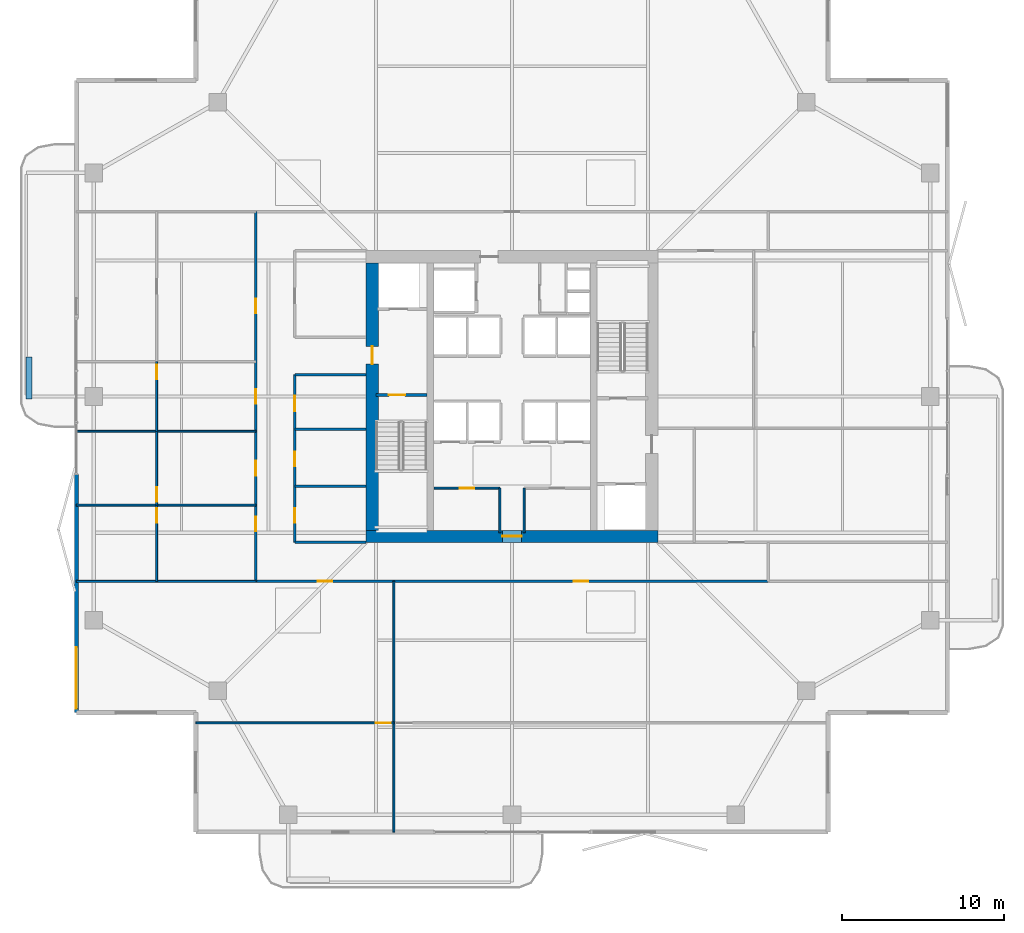
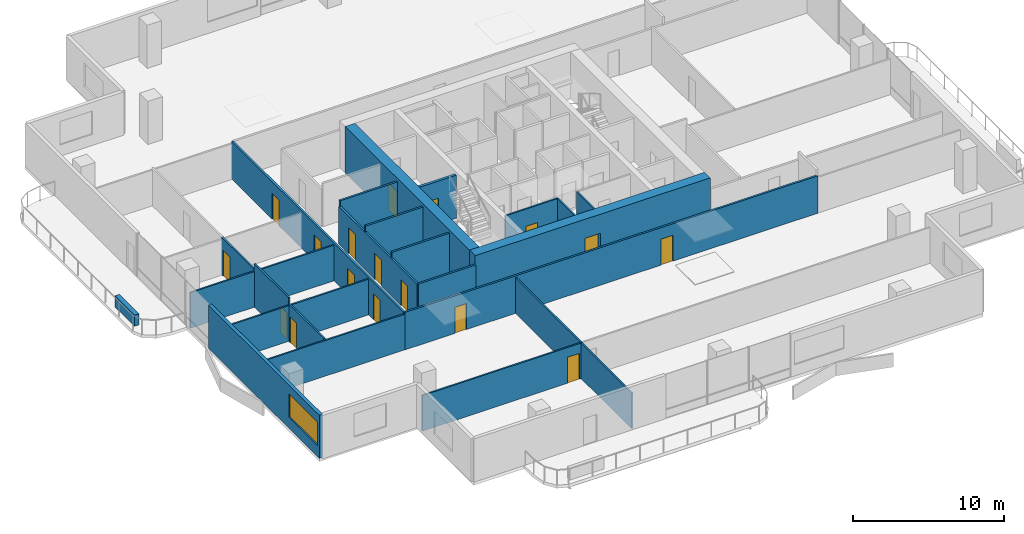
# One storey, part 17 of 23: 23 walls, 17 doors, 1 window, 18 openings.
"""IFC4 building model written with IfcOpenShell, lengths in metres."""

from ifc_helpers import new_model, si_unit, direction, frame, frame_2d, origin, place, context, subcontext, project, spatial, rectangle, extrude, material, layer, layer_set, type_object, element, fill, save


model = new_model("IFC4")

# Units and contexts
model_context = context("Model", 3, precision=1e-05, world=origin(), true_north=direction((0.0, 1.0)))
body_context = subcontext(model_context, "Body", "Model", "MODEL_VIEW")
ifc_project = project(units=[si_unit("LENGTHUNIT", "METRE"), si_unit("AREAUNIT", "SQUARE_METRE"), si_unit("VOLUMEUNIT", "CUBIC_METRE"), si_unit("PLANEANGLEUNIT", "RADIAN"), si_unit("MASSUNIT", "GRAM", prefix="KILO")], contexts=[model_context])

# Site, building, storey
site_placement = place(None, origin())
site = spatial("IfcSite", under=ifc_project, at=site_placement, CompositionType="ELEMENT")
building_placement = place(site_placement, origin())
building = spatial("IfcBuilding", under=site, at=building_placement, Name="Belovzor Exchange Tower", CompositionType="ELEMENT")
storey_placement = place(building_placement, frame((0.0, 0.0, 229.949951171875)))
storey = spatial("IfcBuildingStorey", under=building, at=storey_placement, Name="L57", CompositionType="ELEMENT", Elevation=229.949951171875)

# Wall, opening, door
ifc_material_1 = material(Name="Acoustic Plasterboard on Galvanised Studs", Category="gypsum")
ifc_layer_1 = layer(ifc_material_1, 0.1201171875)
ifc_layer_set_1 = layer_set([ifc_layer_1], Name="Acoustic Plasterboard on Galvanised Studs")
wall_type_1 = type_object("IfcWallType", Name="Acoustic Double-Stud Partition Wall 120", PredefinedType="PARTITIONING", material=ifc_layer_set_1)
wall_1_placement = place(storey_placement, frame((9.300048828125, 8.6650390625, 0.0), z_axis=(0.0, 0.0, 1.0), x_axis=(1.0, 0.0, 0.0)))
wall_1 = element("IfcWall", 1, at=wall_1_placement, inside=storey, type_object=wall_type_1, Name="W-P120 Partition Wall W-L57-SHDIV-0", PredefinedType="PARTITIONING", context=body_context, shape_type="SweptSolid", body=[
    extrude(rectangle(XDim=12.2099609375, YDim=0.1201171875, at=frame_2d((6.10498046875, 0.0))), origin(), (0.0, 0.0, 1.0), 2.885009765625),
])
opening_1_placement = place(wall_1_placement, frame((11.110107421875, 0.0, 0.0)))
opening_1 = element("IfcOpeningElement", 2, at=opening_1_placement, cuts=wall_1, Name="Opening D-INT-090", PredefinedType="OPENING", context=body_context, shape_type="SweptSolid", body=[
    extrude(rectangle(XDim=0.89990234375, YDim=2.10009765625, at=frame_2d((0.449951171875, 1.050048828125))), frame((0.0, 0.070068359375, 0.0), z_axis=(0.0, -1.0, 0.0), x_axis=(1.0, 0.0, 0.0)), (0.0, 0.0, 1.0), 0.14013671875),
])
ifc_material_2 = material(Name="Veneered Hardwood Acoustic Leaf", Category="wood")
door_type_1 = type_object("IfcDoorType", Name="Trading Suite Acoustic Single Door 900x2100", OperationType="NOTDEFINED", PredefinedType="DOOR", material=ifc_material_2)
door_1_placement = place(opening_1_placement, origin())
door_1 = element("IfcDoor", 3, at=door_1_placement, inside=storey, type_object=door_type_1, Name="D-INT-090 Trading Suite Acoustic Single Door 900x2100", OperationType="SINGLE_SWING_LEFT", OverallHeight=2.10009765625, OverallWidth=0.89990234375, PredefinedType="DOOR", context=body_context, shape_type="SweptSolid", body=[
    extrude(rectangle(XDim=0.89990234375, YDim=2.10009765625, at=frame_2d((0.449951171875, 1.050048828125))), frame((0.0, 0.02490234375, 0.0), z_axis=(0.0, -1.0, 0.0), x_axis=(1.0, 0.0, 0.0)), (0.0, 0.0, 1.0), 0.050048828125),
])
fill(opening_1, door_1)

# Wall
wall_2_placement = place(storey_placement, frame((21.510009765625, 1.929931640625, 0.0), z_axis=(0.0, 0.0, 1.0), x_axis=(0.0, 1.0, 0.0)))
element("IfcWall", 4, at=wall_2_placement, inside=storey, type_object=wall_type_1, Name="W-P120 Partition Wall W-L57-SDIV-1", PredefinedType="PARTITIONING", context=body_context, shape_type="SweptSolid", body=[
    extrude(rectangle(XDim=15.469970703125, YDim=0.1201171875, at=frame_2d((7.73486328125, 0.0))), origin(), (0.0, 0.0, 1.0), 2.885009765625),
])

# Wall, opening, door
wall_3_placement = place(storey_placement, frame((6.876953125, 17.39990234375, 0.0), z_axis=(0.0, 0.0, 1.0), x_axis=(0.0, 1.0, 0.0)))
wall_3 = element("IfcWall", 5, at=wall_3_placement, inside=storey, type_object=wall_type_1, Name="W-P120 Partition Wall W-L57-WHDIV-0", PredefinedType="PARTITIONING", context=body_context, shape_type="SweptSolid", body=[
    extrude(rectangle(XDim=4.7001953125, YDim=0.1201171875, at=frame_2d((2.35009765625, 0.0))), origin(), (0.0, 0.0, 1.0), 3.03515625),
])
opening_2_placement = place(wall_3_placement, frame((3.60009765625, 0.0, 0.0)))
opening_2 = element("IfcOpeningElement", 6, at=opening_2_placement, cuts=wall_3, Name="Opening D-INT-090", PredefinedType="OPENING", context=body_context, shape_type="SweptSolid", body=[
    extrude(rectangle(XDim=0.89990234375, YDim=2.10009765625, at=frame_2d((0.449951171875, 1.050048828125))), frame((0.0, 0.070068359375, 0.0), z_axis=(0.0, -1.0, 0.0), x_axis=(1.0, 0.0, 0.0)), (0.0, 0.0, 1.0), 0.14013671875),
])
door_2_placement = place(opening_2_placement, origin())
door_2 = element("IfcDoor", 7, at=door_2_placement, inside=storey, type_object=door_type_1, Name="D-INT-090 Trading Suite Acoustic Single Door 900x2100", OperationType="SINGLE_SWING_LEFT", OverallHeight=2.10009765625, OverallWidth=0.89990234375, PredefinedType="DOOR", context=body_context, shape_type="SweptSolid", body=[
    extrude(rectangle(XDim=0.89990234375, YDim=2.10009765625, at=frame_2d((0.449951171875, 1.050048828125))), frame((0.0, 0.02490234375, 0.0), z_axis=(0.0, -1.0, 0.0), x_axis=(1.0, 0.0, 0.0)), (0.0, 0.0, 1.0), 0.050048828125),
])
fill(opening_2, door_2)

# Wall
wall_4_placement = place(storey_placement, frame((1.929931640625, 22.10009765625, 0.0), z_axis=(0.0, 0.0, 1.0), x_axis=(1.0, 0.0, 0.0)))
element("IfcWall", 8, at=wall_4_placement, inside=storey, type_object=wall_type_1, Name="W-P120 Partition Wall W-L57-WDIV-1", PredefinedType="PARTITIONING", context=body_context, shape_type="SweptSolid", body=[
    extrude(rectangle(XDim=11.070068359375, YDim=0.1201171875, at=frame_2d((5.53515625, 0.0))), origin(), (0.0, 0.0, 1.0), 2.885009765625),
])

# Wall, opening, door
wall_5_placement = place(storey_placement, frame((6.876953125, 22.10009765625, 0.0), z_axis=(0.0, 0.0, 1.0), x_axis=(0.0, 1.0, 0.0)))
wall_5 = element("IfcWall", 9, at=wall_5_placement, inside=storey, type_object=wall_type_1, Name="W-P120 Partition Wall W-L57-WHDIV-1", PredefinedType="PARTITIONING", context=body_context, shape_type="SweptSolid", body=[
    extrude(rectangle(XDim=4.557861328125, YDim=0.1201171875, at=frame_2d((2.27880859375, 0.0))), origin(), (0.0, 0.0, 1.0), 3.5),
])
opening_3_placement = place(wall_5_placement, frame((0.199951171875, 0.0, 0.0)))
opening_3 = element("IfcOpeningElement", 10, at=opening_3_placement, cuts=wall_5, Name="Opening D-INT-090", PredefinedType="OPENING", context=body_context, shape_type="SweptSolid", body=[
    extrude(rectangle(XDim=0.89990234375, YDim=2.10009765625, at=frame_2d((0.449951171875, 1.050048828125))), frame((0.0, 0.070068359375, 0.0), z_axis=(0.0, -1.0, 0.0), x_axis=(1.0, 0.0, 0.0)), (0.0, 0.0, 1.0), 0.14013671875),
])
door_3_placement = place(opening_3_placement, origin())
door_3 = element("IfcDoor", 11, at=door_3_placement, inside=storey, type_object=door_type_1, Name="D-INT-090 Trading Suite Acoustic Single Door 900x2100", OperationType="SINGLE_SWING_LEFT", OverallHeight=2.10009765625, OverallWidth=0.89990234375, PredefinedType="DOOR", context=body_context, shape_type="SweptSolid", body=[
    extrude(rectangle(XDim=0.89990234375, YDim=2.10009765625, at=frame_2d((0.449951171875, 1.050048828125))), frame((0.0, 0.02490234375, 0.0), z_axis=(0.0, -1.0, 0.0), x_axis=(1.0, 0.0, 0.0)), (0.0, 0.0, 1.0), 0.050048828125),
])
fill(opening_3, door_3)

# Wall
wall_6_placement = place(storey_placement, frame((1.929931640625, 26.657958984375, 0.0), z_axis=(0.0, 0.0, 1.0), x_axis=(1.0, 0.0, 0.0)))
element("IfcWall", 12, at=wall_6_placement, inside=storey, type_object=wall_type_1, Name="W-P120 Partition Wall W-L57-WDIV-2", PredefinedType="PARTITIONING", context=body_context, shape_type="SweptSolid", body=[
    extrude(rectangle(XDim=11.070068359375, YDim=0.1201171875, at=frame_2d((5.53515625, 0.0))), origin(), (0.0, 0.0, 1.0), 2.885009765625),
])

# Wall, opening, door
wall_7_placement = place(storey_placement, frame((6.876953125, 26.657958984375, 0.0), z_axis=(0.0, 0.0, 1.0), x_axis=(0.0, 1.0, 0.0)))
wall_7 = element("IfcWall", 13, at=wall_7_placement, inside=storey, type_object=wall_type_1, Name="W-P120 Partition Wall W-L57-WHDIV-2", PredefinedType="PARTITIONING", context=body_context, shape_type="SweptSolid", body=[
    extrude(rectangle(XDim=4.297119140625, YDim=0.1201171875, at=frame_2d((2.1484375, 0.0))), origin(), (0.0, 0.0, 1.0), 3.03515625),
])
opening_4_placement = place(wall_7_placement, frame((3.197021484375, 0.0, 0.0)))
opening_4 = element("IfcOpeningElement", 14, at=opening_4_placement, cuts=wall_7, Name="Opening D-INT-090", PredefinedType="OPENING", context=body_context, shape_type="SweptSolid", body=[
    extrude(rectangle(XDim=0.89990234375, YDim=2.10009765625, at=frame_2d((0.449951171875, 1.050048828125))), frame((0.0, 0.070068359375, 0.0), z_axis=(0.0, -1.0, 0.0), x_axis=(1.0, 0.0, 0.0)), (0.0, 0.0, 1.0), 0.14013671875),
])
door_4_placement = place(opening_4_placement, origin())
door_4 = element("IfcDoor", 15, at=door_4_placement, inside=storey, type_object=door_type_1, Name="D-INT-090 Trading Suite Acoustic Single Door 900x2100", OperationType="SINGLE_SWING_LEFT", OverallHeight=2.10009765625, OverallWidth=0.89990234375, PredefinedType="DOOR", context=body_context, shape_type="SweptSolid", body=[
    extrude(rectangle(XDim=0.89990234375, YDim=2.10009765625, at=frame_2d((0.449951171875, 1.050048828125))), frame((0.0, 0.02490234375, 0.0), z_axis=(0.0, -1.0, 0.0), x_axis=(1.0, 0.0, 0.0)), (0.0, 0.0, 1.0), 0.050048828125),
])
fill(opening_4, door_4)

# Wall
wall_8_placement = place(storey_placement, frame((1.929931640625, 17.39990234375, 0.0), z_axis=(0.0, 0.0, 1.0), x_axis=(1.0, 0.0, 0.0)))
element("IfcWall", 16, at=wall_8_placement, inside=storey, type_object=wall_type_1, Name="W-P120 Partition Wall W-L57-END-SW", PredefinedType="PARTITIONING", context=body_context, shape_type="SweptSolid", body=[
    extrude(rectangle(XDim=11.070068359375, YDim=0.1201171875, at=frame_2d((5.53515625, 0.0))), origin(), (0.0, 0.0, 1.0), 2.885009765625),
])

# Wall, opening, door
ifc_material_3 = material(Name="Fire-Rated Plasterboard on Galvanised Studs", Category="gypsum")
ifc_layer_2 = layer(ifc_material_3, 0.1201171875)
ifc_layer_set_2 = layer_set([ifc_layer_2], Name="Fire-Rated Plasterboard on Galvanised Studs")
wall_type_2 = type_object("IfcWallType", Name="Fire-Rated Double-Stud Partition Wall 120", PredefinedType="PARTITIONING", material=ifc_layer_set_2)
wall_9_placement = place(storey_placement, frame((24.0, 23.14990234375, 0.0), z_axis=(0.0, 0.0, 1.0), x_axis=(1.0, 0.0, 0.0)))
wall_9 = element("IfcWall", 17, at=wall_9_placement, inside=storey, type_object=wall_type_2, Name="W-P120F Partition Wall W-CRL-L57-WN", PredefinedType="PARTITIONING", context=body_context, shape_type="SweptSolid", body=[
    extrude(rectangle(XDim=4.050048828125, YDim=0.1201171875, at=frame_2d((2.02490234375, 0.0))), origin(), (0.0, 0.0, 1.0), 3.5),
])
opening_5_placement = place(wall_9_placement, frame((1.574951171875, 0.0, 0.0)))
opening_5 = element("IfcOpeningElement", 18, at=opening_5_placement, cuts=wall_9, Name="Opening D-FD60-090", PredefinedType="OPENING", context=body_context, shape_type="SweptSolid", body=[
    extrude(rectangle(XDim=0.89990234375, YDim=2.10009765625, at=frame_2d((0.449951171875, 1.050048828125))), frame((0.0, 0.070068359375, 0.0), z_axis=(0.0, -1.0, 0.0), x_axis=(1.0, 0.0, 0.0)), (0.0, 0.0, 1.0), 0.14013671875),
])
ifc_material_4 = material(Name="Acoustic Timber Fire Leaf", Category="wood")
door_type_2 = type_object("IfcDoorType", Name="Core Service & Restroom Fire Door 900x2100", OperationType="NOTDEFINED", PredefinedType="DOOR", material=ifc_material_4)
door_5_placement = place(opening_5_placement, origin())
door_5 = element("IfcDoor", 19, at=door_5_placement, inside=storey, type_object=door_type_2, Name="D-FD60-090 Core Service & Restroom Fire Door 900x2100", OperationType="SINGLE_SWING_LEFT", OverallHeight=2.10009765625, OverallWidth=0.89990234375, PredefinedType="DOOR", context=body_context, shape_type="SweptSolid", body=[
    extrude(rectangle(XDim=0.89990234375, YDim=2.10009765625, at=frame_2d((0.449951171875, 1.050048828125))), frame((0.0, 0.02490234375, 0.0), z_axis=(0.0, -1.0, 0.0), x_axis=(1.0, 0.0, 0.0)), (0.0, 0.0, 1.0), 0.050048828125),
])
fill(opening_5, door_5)

# Walls
for number, where, z_axis, x_axis, name in (
    (20, (28.050048828125, 20.39990234375, 0.0), (0.0, 0.0, 1.0), (0.0, 1.0, 0.0), "W-P120F Partition Wall W-CRL-L57-WE"),
    (21, (29.550048828125, 20.39990234375, 0.0), (0.0, 0.0, 1.0), (0.0, 1.0, 0.0), "W-P120F Partition Wall W-CRL-L57-EW"),
):
    element("IfcWall", number, at=place(storey_placement, frame(where, z_axis=z_axis, x_axis=x_axis)), inside=storey, type_object=wall_type_2, Name=name, PredefinedType="PARTITIONING", context=body_context, shape_type="SweptSolid", body=[
        extrude(rectangle(XDim=2.75, YDim=0.1201171875, at=frame_2d((1.375, 0.0))), origin(), (0.0, 0.0, 1.0), 3.5),
    ])
ifc_material_5 = material(Name="Fire-Rated Gypsum Block and Mineral Wool", Category="gypsum")
ifc_layer_3 = layer(ifc_material_5, 0.14990234375)
ifc_layer_set_3 = layer_set([ifc_layer_3], Name="Fire-Rated Gypsum Block and Mineral Wool")
wall_type_3 = type_object("IfcWallType", Name="Fire-Rated Gypsum Block Corridor Wall 150", PredefinedType="PARTITIONING", material=ifc_layer_set_3)
wall_10_placement = place(storey_placement, frame((15.39990234375, 19.800048828125, 0.0), z_axis=(0.0, 0.0, 1.0), x_axis=(1.0, 0.0, 0.0)))
element("IfcWall", 22, at=wall_10_placement, inside=storey, type_object=wall_type_3, Name="W-P150 Partition Wall W-L57-WIC-S", PredefinedType="PARTITIONING", context=body_context, shape_type="SweptSolid", body=[
    extrude(rectangle(XDim=4.400146484375, YDim=0.14990234375, at=frame_2d((2.2001953125, 0.0))), origin(), (0.0, 0.0, 1.0), 3.03515625),
])
for number, where, z_axis, x_axis, name in (
    (23, (15.39990234375, 23.27490234375, 0.0), (0.0, 0.0, 1.0), (1.0, 0.0, 0.0), "W-P150 Partition Wall W-L57-WIC-D1"),
    (24, (15.39990234375, 26.77490234375, 0.0), (0.0, 0.0, 1.0), (1.0, 0.0, 0.0), "W-P150 Partition Wall W-L57-WIC-D2"),
    (25, (15.39990234375, 30.14990234375, 0.0), (0.0, 0.0, 1.0), (1.0, 0.0, 0.0), "W-P150 Partition Wall W-L57-WIC-N"),
):
    element("IfcWall", number, at=place(storey_placement, frame(where, z_axis=z_axis, x_axis=x_axis)), inside=storey, type_object=wall_type_3, Name=name, PredefinedType="PARTITIONING", context=body_context, shape_type="SweptSolid", body=[
        extrude(rectangle(XDim=4.400146484375, YDim=0.14990234375, at=frame_2d((2.2001953125, 0.0))), origin(), (0.0, 0.0, 1.0), 3.5),
    ])

# Wall, openings, doors
wall_11_placement = place(storey_placement, frame((15.39990234375, 19.800048828125, 0.0), z_axis=(0.0, 0.0, 1.0), x_axis=(0.0, 1.0, 0.0)))
wall_11 = element("IfcWall", 26, at=wall_11_placement, inside=storey, type_object=wall_type_3, Name="W-P150 Partition Wall W-L57-WIE-S", PredefinedType="PARTITIONING", context=body_context, shape_type="SweptSolid", body=[
    extrude(rectangle(XDim=10.349853515625, YDim=0.14990234375, at=frame_2d((5.1748046875, 0.0))), origin(), (0.0, 0.0, 1.0), 3.03515625),
])
opening_6_placement = place(wall_11_placement, frame((1.199951171875, 0.0, 0.0)))
opening_6 = element("IfcOpeningElement", 27, at=opening_6_placement, cuts=wall_11, Name="Opening D-FD60-090", PredefinedType="OPENING", context=body_context, shape_type="SweptSolid", body=[
    extrude(rectangle(XDim=0.89990234375, YDim=2.10009765625, at=frame_2d((0.449951171875, 1.050048828125))), frame((0.0, 0.0849609375, 0.0), z_axis=(0.0, -1.0, 0.0), x_axis=(1.0, 0.0, 0.0)), (0.0, 0.0, 1.0), 0.169921875),
])
opening_7_placement = place(wall_11_placement, frame((4.699951171875, 0.0, 0.0)))
opening_7 = element("IfcOpeningElement", 28, at=opening_7_placement, cuts=wall_11, Name="Opening D-FD60-090", PredefinedType="OPENING", context=body_context, shape_type="SweptSolid", body=[
    extrude(rectangle(XDim=0.89990234375, YDim=2.10009765625, at=frame_2d((0.449951171875, 1.050048828125))), frame((0.0, 0.0849609375, 0.0), z_axis=(0.0, -1.0, 0.0), x_axis=(1.0, 0.0, 0.0)), (0.0, 0.0, 1.0), 0.169921875),
])
opening_8_placement = place(wall_11_placement, frame((8.10009765625, 0.0, 0.0)))
opening_8 = element("IfcOpeningElement", 29, at=opening_8_placement, cuts=wall_11, Name="Opening D-FD60-095", PredefinedType="OPENING", context=body_context, shape_type="SweptSolid", body=[
    extrude(rectangle(XDim=0.949951171875, YDim=2.10009765625, at=frame_2d((0.47509765625, 1.050048828125))), frame((0.0, 0.0849609375, 0.0), z_axis=(0.0, -1.0, 0.0), x_axis=(1.0, 0.0, 0.0)), (0.0, 0.0, 1.0), 0.169921875),
])
ifc_material_6 = material(Name="Moisture-Resistant Timber Fire Leaf", Category="wood")
door_type_3 = type_object("IfcDoorType", Name="Accessible Restroom Wide Fire Door 950x2100", OperationType="NOTDEFINED", PredefinedType="DOOR", material=ifc_material_6)
door_6_placement = place(opening_8_placement, origin())
door_6 = element("IfcDoor", 30, at=door_6_placement, inside=storey, type_object=door_type_3, Name="D-FD60-095 Accessible Restroom Wide Fire Door 950x2100", OperationType="SINGLE_SWING_LEFT", OverallHeight=2.10009765625, OverallWidth=0.949951171875, PredefinedType="DOOR", context=body_context, shape_type="SweptSolid", body=[
    extrude(rectangle(XDim=0.949951171875, YDim=2.10009765625, at=frame_2d((0.47509765625, 1.050048828125))), frame((0.0, 0.02490234375, 0.0), z_axis=(0.0, -1.0, 0.0), x_axis=(1.0, 0.0, 0.0)), (0.0, 0.0, 1.0), 0.050048828125),
])
fill(opening_8, door_6)
door_7_placement = place(opening_6_placement, origin())
door_7 = element("IfcDoor", 31, at=door_7_placement, inside=storey, type_object=door_type_2, Name="D-FD60-090 Core Service & Restroom Fire Door 900x2100", OperationType="SINGLE_SWING_LEFT", OverallHeight=2.10009765625, OverallWidth=0.89990234375, PredefinedType="DOOR", context=body_context, shape_type="SweptSolid", body=[
    extrude(rectangle(XDim=0.89990234375, YDim=2.10009765625, at=frame_2d((0.449951171875, 1.050048828125))), frame((0.0, 0.02490234375, 0.0), z_axis=(0.0, -1.0, 0.0), x_axis=(1.0, 0.0, 0.0)), (0.0, 0.0, 1.0), 0.050048828125),
])
fill(opening_6, door_7)
door_8_placement = place(opening_7_placement, origin())
door_8 = element("IfcDoor", 32, at=door_8_placement, inside=storey, type_object=door_type_2, Name="D-FD60-090 Core Service & Restroom Fire Door 900x2100", OperationType="SINGLE_SWING_RIGHT", OverallHeight=2.10009765625, OverallWidth=0.89990234375, PredefinedType="DOOR", context=body_context, shape_type="SweptSolid", body=[
    extrude(rectangle(XDim=0.89990234375, YDim=2.10009765625, at=frame_2d((0.449951171875, 1.050048828125))), frame((0.0, 0.02490234375, 0.0), z_axis=(0.0, -1.0, 0.0), x_axis=(1.0, 0.0, 0.0)), (0.0, 0.0, 1.0), 0.050048828125),
])
fill(opening_7, door_8)

wall_12_placement = place(storey_placement, frame((13.0, 17.39990234375, 0.0), z_axis=(0.0, 0.0, 1.0), x_axis=(1.0, 0.0, 0.0)))
wall_12 = element("IfcWall", 33, at=wall_12_placement, inside=storey, type_object=wall_type_3, Name="W-P150 Partition Wall W-L57-CS", PredefinedType="PARTITIONING", context=body_context, shape_type="SweptSolid", body=[
    extrude(rectangle(XDim=31.60009765625, YDim=0.14990234375, at=frame_2d((15.800048828125, 0.0))), origin(), (0.0, 0.0, 1.0), 3.03515625),
])
opening_9_placement = place(wall_12_placement, frame((3.804931640625, 0.0, 0.0)))
opening_9 = element("IfcOpeningElement", 34, at=opening_9_placement, cuts=wall_12, Name="Opening D-INT-090", PredefinedType="OPENING", context=body_context, shape_type="SweptSolid", body=[
    extrude(rectangle(XDim=0.89990234375, YDim=2.10009765625, at=frame_2d((0.449951171875, 1.050048828125))), frame((0.0, 0.0849609375, 0.0), z_axis=(0.0, -1.0, 0.0), x_axis=(1.0, 0.0, 0.0)), (0.0, 0.0, 1.0), 0.169921875),
])
opening_10_placement = place(wall_12_placement, frame((19.60498046875, 0.0, 0.0)))
opening_10 = element("IfcOpeningElement", 35, at=opening_10_placement, cuts=wall_12, Name="Opening D-INT-090", PredefinedType="OPENING", context=body_context, shape_type="SweptSolid", body=[
    extrude(rectangle(XDim=0.89990234375, YDim=2.10009765625, at=frame_2d((0.449951171875, 1.050048828125))), frame((0.0, 0.0849609375, 0.0), z_axis=(0.0, -1.0, 0.0), x_axis=(1.0, 0.0, 0.0)), (0.0, 0.0, 1.0), 0.169921875),
])
door_9_placement = place(opening_9_placement, origin())
door_9 = element("IfcDoor", 36, at=door_9_placement, inside=storey, type_object=door_type_1, Name="D-INT-090 Trading Suite Acoustic Single Door 900x2100", OperationType="SINGLE_SWING_RIGHT", OverallHeight=2.10009765625, OverallWidth=0.89990234375, PredefinedType="DOOR", context=body_context, shape_type="SweptSolid", body=[
    extrude(rectangle(XDim=0.89990234375, YDim=2.10009765625, at=frame_2d((0.449951171875, 1.050048828125))), frame((0.0, 0.02490234375, 0.0), z_axis=(0.0, -1.0, 0.0), x_axis=(1.0, 0.0, 0.0)), (0.0, 0.0, 1.0), 0.050048828125),
])
fill(opening_9, door_9)
door_10_placement = place(opening_10_placement, origin())
door_10 = element("IfcDoor", 37, at=door_10_placement, inside=storey, type_object=door_type_1, Name="D-INT-090 Trading Suite Acoustic Single Door 900x2100", OperationType="SINGLE_SWING_LEFT", OverallHeight=2.10009765625, OverallWidth=0.89990234375, PredefinedType="DOOR", context=body_context, shape_type="SweptSolid", body=[
    extrude(rectangle(XDim=0.89990234375, YDim=2.10009765625, at=frame_2d((0.449951171875, 1.050048828125))), frame((0.0, 0.02490234375, 0.0), z_axis=(0.0, -1.0, 0.0), x_axis=(1.0, 0.0, 0.0)), (0.0, 0.0, 1.0), 0.050048828125),
])
fill(opening_10, door_10)

wall_13_placement = place(storey_placement, frame((13.0, 17.39990234375, 0.0), z_axis=(0.0, 0.0, 1.0), x_axis=(0.0, 1.0, 0.0)))
wall_13 = element("IfcWall", 38, at=wall_13_placement, inside=storey, type_object=wall_type_3, Name="W-P150 Partition Wall W-L57-CWO", PredefinedType="PARTITIONING", context=body_context, shape_type="SweptSolid", body=[
    extrude(rectangle(XDim=22.800048828125, YDim=0.14990234375, at=frame_2d((11.39990234375, 0.0))), origin(), (0.0, 0.0, 1.0), 3.03515625),
])
opening_11_placement = place(wall_13_placement, frame((3.10009765625, 0.0, 0.0)))
opening_11 = element("IfcOpeningElement", 39, at=opening_11_placement, cuts=wall_13, Name="Opening D-INT-090", PredefinedType="OPENING", context=body_context, shape_type="SweptSolid", body=[
    extrude(rectangle(XDim=0.89990234375, YDim=2.10009765625, at=frame_2d((0.449951171875, 1.050048828125))), frame((0.0, 0.0849609375, 0.0), z_axis=(0.0, -1.0, 0.0), x_axis=(1.0, 0.0, 0.0)), (0.0, 0.0, 1.0), 0.169921875),
])
opening_12_placement = place(wall_13_placement, frame((6.529052734375, 0.0, 0.0)))
opening_12 = element("IfcOpeningElement", 40, at=opening_12_placement, cuts=wall_13, Name="Opening D-INT-090", PredefinedType="OPENING", context=body_context, shape_type="SweptSolid", body=[
    extrude(rectangle(XDim=0.89990234375, YDim=2.10009765625, at=frame_2d((0.449951171875, 1.050048828125))), frame((0.0, 0.0849609375, 0.0), z_axis=(0.0, -1.0, 0.0), x_axis=(1.0, 0.0, 0.0)), (0.0, 0.0, 1.0), 0.169921875),
])
opening_13_placement = place(wall_13_placement, frame((10.95703125, 0.0, 0.0)))
opening_13 = element("IfcOpeningElement", 41, at=opening_13_placement, cuts=wall_13, Name="Opening D-INT-090", PredefinedType="OPENING", context=body_context, shape_type="SweptSolid", body=[
    extrude(rectangle(XDim=0.89990234375, YDim=2.10009765625, at=frame_2d((0.449951171875, 1.050048828125))), frame((0.0, 0.0849609375, 0.0), z_axis=(0.0, -1.0, 0.0), x_axis=(1.0, 0.0, 0.0)), (0.0, 0.0, 1.0), 0.169921875),
])
opening_14_placement = place(wall_13_placement, frame((16.527099609375, 0.0, 0.0)))
opening_14 = element("IfcOpeningElement", 42, at=opening_14_placement, cuts=wall_13, Name="Opening D-INT-090", PredefinedType="OPENING", context=body_context, shape_type="SweptSolid", body=[
    extrude(rectangle(XDim=0.89990234375, YDim=2.10009765625, at=frame_2d((0.449951171875, 1.050048828125))), frame((0.0, 0.0849609375, 0.0), z_axis=(0.0, -1.0, 0.0), x_axis=(1.0, 0.0, 0.0)), (0.0, 0.0, 1.0), 0.169921875),
])
door_11_placement = place(opening_11_placement, origin())
door_11 = element("IfcDoor", 43, at=door_11_placement, inside=storey, type_object=door_type_1, Name="D-INT-090 Trading Suite Acoustic Single Door 900x2100", OperationType="SINGLE_SWING_LEFT", OverallHeight=2.10009765625, OverallWidth=0.89990234375, PredefinedType="DOOR", context=body_context, shape_type="SweptSolid", body=[
    extrude(rectangle(XDim=0.89990234375, YDim=2.10009765625, at=frame_2d((0.449951171875, 1.050048828125))), frame((0.0, 0.02490234375, 0.0), z_axis=(0.0, -1.0, 0.0), x_axis=(1.0, 0.0, 0.0)), (0.0, 0.0, 1.0), 0.050048828125),
])
fill(opening_11, door_11)
door_12_placement = place(opening_12_placement, origin())
door_12 = element("IfcDoor", 44, at=door_12_placement, inside=storey, type_object=door_type_1, Name="D-INT-090 Trading Suite Acoustic Single Door 900x2100", OperationType="SINGLE_SWING_LEFT", OverallHeight=2.10009765625, OverallWidth=0.89990234375, PredefinedType="DOOR", context=body_context, shape_type="SweptSolid", body=[
    extrude(rectangle(XDim=0.89990234375, YDim=2.10009765625, at=frame_2d((0.449951171875, 1.050048828125))), frame((0.0, 0.02490234375, 0.0), z_axis=(0.0, -1.0, 0.0), x_axis=(1.0, 0.0, 0.0)), (0.0, 0.0, 1.0), 0.050048828125),
])
fill(opening_12, door_12)
door_13_placement = place(opening_13_placement, origin())
door_13 = element("IfcDoor", 45, at=door_13_placement, inside=storey, type_object=door_type_1, Name="D-INT-090 Trading Suite Acoustic Single Door 900x2100", OperationType="SINGLE_SWING_LEFT", OverallHeight=2.10009765625, OverallWidth=0.89990234375, PredefinedType="DOOR", context=body_context, shape_type="SweptSolid", body=[
    extrude(rectangle(XDim=0.89990234375, YDim=2.10009765625, at=frame_2d((0.449951171875, 1.050048828125))), frame((0.0, 0.02490234375, 0.0), z_axis=(0.0, -1.0, 0.0), x_axis=(1.0, 0.0, 0.0)), (0.0, 0.0, 1.0), 0.050048828125),
])
fill(opening_13, door_13)
door_14_placement = place(opening_14_placement, origin())
door_14 = element("IfcDoor", 46, at=door_14_placement, inside=storey, type_object=door_type_1, Name="D-INT-090 Trading Suite Acoustic Single Door 900x2100", OperationType="SINGLE_SWING_LEFT", OverallHeight=2.10009765625, OverallWidth=0.89990234375, PredefinedType="DOOR", context=body_context, shape_type="SweptSolid", body=[
    extrude(rectangle(XDim=0.89990234375, YDim=2.10009765625, at=frame_2d((0.449951171875, 1.050048828125))), frame((0.0, 0.02490234375, 0.0), z_axis=(0.0, -1.0, 0.0), x_axis=(1.0, 0.0, 0.0)), (0.0, 0.0, 1.0), 0.050048828125),
])
fill(opening_14, door_14)

# Wall, opening, window
ifc_material_7 = material(Name="Precast concrete C40/50", Category="concrete")
ifc_layer_4 = layer(ifc_material_7, 0.260009765625)
ifc_layer_set_4 = layer_set([ifc_layer_4], Name="Precast concrete C40/50")
wall_type_4 = type_object("IfcWallType", Name="Precast Concrete Perimeter Loggia Frame Wall 260", PredefinedType="SOLIDWALL", material=ifc_layer_set_4)
wall_14_placement = place(storey_placement, frame((1.929931640625, 9.300048828125, 0.0), z_axis=(0.0, 0.0, 1.0), x_axis=(0.0, 1.0, 0.0)))
wall_14 = element("IfcWall", 47, at=wall_14_placement, inside=storey, type_object=wall_type_4, Name="W-EXT260 Precast Concrete Perimeter Loggia Frame Wall 260 L57", PredefinedType="SOLIDWALL", context=body_context, shape_type="SweptSolid", body=[
    extrude(rectangle(XDim=14.699951171875, YDim=0.260009765625, at=frame_2d((7.35009765625, 0.0))), origin(), (0.0, 0.0, 1.0), 3.5),
])
opening_15_placement = place(wall_14_placement, frame((0.25, 0.0, 0.89990234375)))
opening_15 = element("IfcOpeningElement", 48, at=opening_15_placement, cuts=wall_14, Name="Opening WN-RIB380", PredefinedType="OPENING", context=body_context, shape_type="SweptSolid", body=[
    extrude(rectangle(XDim=3.800048828125, YDim=1.89990234375, at=frame_2d((1.89990234375, 0.949951171875))), frame((0.0, 0.139892578125, 0.0), z_axis=(0.0, -1.0, 0.0), x_axis=(1.0, 0.0, 0.0)), (0.0, 0.0, 1.0), 0.280029296875),
])
ifc_material_8 = material(Name="Thermally Broken Aluminium and Triple Glazing", Category="aluminium")
window_type = type_object("IfcWindowType", Name="Streamline Moderne Horizontal Ribbon Window 3800x1900", PartitioningType="SINGLE_PANEL", PredefinedType="WINDOW", material=ifc_material_8)
window_placement = place(opening_15_placement, origin())
window = element("IfcWindow", 49, at=window_placement, inside=storey, type_object=window_type, Name="WN-RIB380 Streamline Moderne Horizontal Ribbon Window 3800x1900", OverallHeight=1.89990234375, OverallWidth=3.800048828125, PartitioningType="SINGLE_PANEL", PredefinedType="WINDOW", context=body_context, shape_type="SweptSolid", body=[
    extrude(rectangle(XDim=3.800048828125, YDim=1.89990234375, at=frame_2d((1.89990234375, 0.949951171875))), frame((0.0, 0.030029296875, 0.0), z_axis=(0.0, -1.0, 0.0), x_axis=(1.0, 0.0, 0.0)), (0.0, 0.0, 1.0), 0.06005859375),
])
fill(opening_15, window)

# Wall
ifc_material_9 = material(Name="Precast concrete C40/50", Category="concrete")
ifc_layer_5 = layer(ifc_material_9, 0.35009765625)
ifc_layer_set_5 = layer_set([ifc_layer_5], Name="Precast concrete C40/50")
wall_type_5 = type_object("IfcWallType", Name="Precast Concrete Structural Tree Planter Trough 350", PredefinedType="PARAPET", material=ifc_layer_set_5)
wall_15_placement = place(storey_placement, frame((-1.0, 28.64990234375, 0.0), z_axis=(0.0, 0.0, 1.0), x_axis=(0.0, 1.0, 0.0)))
element("IfcWall", 50, at=wall_15_placement, inside=storey, type_object=wall_type_5, Name="PT-350 Precast Concrete Structural Tree Planter Trough 350 L57", PredefinedType="PARAPET", context=body_context, shape_type="SweptSolid", body=[
    extrude(rectangle(XDim=2.60009765625, YDim=0.35009765625, at=frame_2d((1.300048828125, 0.0))), origin(), (0.0, 0.0, 1.0), 0.900146484375),
])

# Wall, opening, door
ifc_material_10 = material(Name="Concrete C50/60", Category="concrete")
ifc_layer_6 = layer(ifc_material_10, 0.199951171875)
ifc_layer_set_6 = layer_set([ifc_layer_6], Name="Concrete C50/60")
wall_type_6 = type_object("IfcWallType", Name="Reinforced Concrete Core Shaft Shear Wall 200", PredefinedType="SHEAR", material=ifc_layer_set_6)
wall_16_placement = place(storey_placement, frame((20.39990234375, 28.89990234375, 0.0), z_axis=(0.0, 0.0, 1.0), x_axis=(1.0, 0.0, 0.0)))
wall_16 = element("IfcWall", 51, at=wall_16_placement, inside=storey, type_object=wall_type_6, Name="W-C200S Core Shaft Wall W-CORE-L57-FFLW1", PredefinedType="SHEAR", context=body_context, shape_type="SweptSolid", body=[
    extrude(rectangle(XDim=3.150146484375, YDim=0.199951171875, at=frame_2d((1.5751953125, 0.0))), origin(), (0.0, 0.0, 1.0), 3.5),
])
opening_16_placement = place(wall_16_placement, frame((0.800048828125, 0.0, 0.0)))
opening_16 = element("IfcOpeningElement", 52, at=opening_16_placement, cuts=wall_16, Name="Opening D-FD90-100", PredefinedType="OPENING", context=body_context, shape_type="SweptSolid", body=[
    extrude(rectangle(XDim=1.0, YDim=2.10009765625, at=frame_2d((0.5, 1.050048828125))), frame((0.0, 0.10986328125, 0.0), z_axis=(0.0, -1.0, 0.0), x_axis=(1.0, 0.0, 0.0)), (0.0, 0.0, 1.0), 0.219970703125),
])
ifc_material_11 = material(Name="Fire-Rated Galvanised Steel Leaf", Category="steel")
door_type_4 = type_object("IfcDoorType", Name="Protected Stairwell Single Fire Door 1000x2100", OperationType="NOTDEFINED", PredefinedType="DOOR", material=ifc_material_11)
door_15_placement = place(opening_16_placement, origin())
door_15 = element("IfcDoor", 53, at=door_15_placement, inside=storey, type_object=door_type_4, Name="D-FD90-100 Protected Stairwell Single Fire Door 1000x2100", OperationType="SINGLE_SWING_RIGHT", OverallHeight=2.10009765625, OverallWidth=1.0, PredefinedType="DOOR", context=body_context, shape_type="SweptSolid", body=[
    extrude(rectangle(XDim=1.0, YDim=2.10009765625, at=frame_2d((0.5, 1.050048828125))), frame((0.0, 0.02490234375, 0.0), z_axis=(0.0, -1.0, 0.0), x_axis=(1.0, 0.0, 0.0)), (0.0, 0.0, 1.0), 0.050048828125),
])
fill(opening_16, door_15)

ifc_material_12 = material(Name="Concrete C50/60", Category="concrete")
ifc_layer_7 = layer(ifc_material_12, 0.75)
ifc_layer_set_7 = layer_set([ifc_layer_7], Name="Concrete C50/60")
wall_type_7 = type_object("IfcWallType", Name="Reinforced Concrete Core Shear Wall 750", PredefinedType="SHEAR", material=ifc_layer_set_7)
wall_17_placement = place(storey_placement, frame((19.800048828125, 20.175048828125, 0.0), z_axis=(0.0, 0.0, 1.0), x_axis=(1.0, 0.0, 0.0)))
wall_17 = element("IfcWall", 54, at=wall_17_placement, inside=storey, type_object=wall_type_7, Name="CW-S075 Core Shear Wall L57 S", PredefinedType="SHEAR", context=body_context, shape_type="SweptSolid", body=[
    extrude(rectangle(XDim=18.0, YDim=0.75, at=frame_2d((9.0, 0.0))), origin(), (0.0, 0.0, 1.0), 3.75),
])
opening_17_placement = place(wall_17_placement, frame((8.39990234375, 0.0, 0.0)))
opening_17 = element("IfcOpeningElement", 55, at=opening_17_placement, cuts=wall_17, Name="Opening D-FD90-120", PredefinedType="OPENING", context=body_context, shape_type="SweptSolid", body=[
    extrude(rectangle(XDim=1.199951171875, YDim=2.199951171875, at=frame_2d((0.60009765625, 1.10009765625))), frame((0.0, 0.385009765625, 0.0), z_axis=(0.0, -1.0, 0.0), x_axis=(1.0, 0.0, 0.0)), (0.0, 0.0, 1.0), 0.77001953125),
])
ifc_material_13 = material(Name="Fire-Rated Galvanised Steel Leaf", Category="steel")
door_type_5 = type_object("IfcDoorType", Name="Heavy Plant & Foyer Fire Door 1200x2200", OperationType="NOTDEFINED", PredefinedType="DOOR", material=ifc_material_13)
door_16_placement = place(opening_17_placement, origin())
door_16 = element("IfcDoor", 56, at=door_16_placement, inside=storey, type_object=door_type_5, Name="D-FD90-120 Heavy Plant & Foyer Fire Door 1200x2200", OperationType="SINGLE_SWING_LEFT", OverallHeight=2.199951171875, OverallWidth=1.199951171875, PredefinedType="DOOR", context=body_context, shape_type="SweptSolid", body=[
    extrude(rectangle(XDim=1.199951171875, YDim=2.199951171875, at=frame_2d((0.60009765625, 1.10009765625))), frame((0.0, 0.02490234375, 0.0), z_axis=(0.0, -1.0, 0.0), x_axis=(1.0, 0.0, 0.0)), (0.0, 0.0, 1.0), 0.050048828125),
])
fill(opening_17, door_16)

wall_18_placement = place(storey_placement, frame((20.175048828125, 20.550048828125, 0.0), z_axis=(0.0, 0.0, 1.0), x_axis=(0.0, 1.0, 0.0)))
wall_18 = element("IfcWall", 57, at=wall_18_placement, inside=storey, type_object=wall_type_7, Name="CW-S075 Core Shear Wall L57 W", PredefinedType="SHEAR", context=body_context, shape_type="SweptSolid", body=[
    extrude(rectangle(XDim=16.5, YDim=0.75, at=frame_2d((8.25, 0.0))), origin(), (0.0, 0.0, 1.0), 3.75),
])
opening_18_placement = place(wall_18_placement, frame((10.25, 0.0, 0.0)))
opening_18 = element("IfcOpeningElement", 58, at=opening_18_placement, cuts=wall_18, Name="Opening D-FD90-110", PredefinedType="OPENING", context=body_context, shape_type="SweptSolid", body=[
    extrude(rectangle(XDim=1.10009765625, YDim=2.14990234375, at=frame_2d((0.550048828125, 1.074951171875))), frame((0.0, 0.385009765625, 0.0), z_axis=(0.0, -1.0, 0.0), x_axis=(1.0, 0.0, 0.0)), (0.0, 0.0, 1.0), 0.77001953125),
])
ifc_material_14 = material(Name="Fire-Rated Galvanised Steel Leaf", Category="steel")
door_type_6 = type_object("IfcDoorType", Name="Protected Escape Vestibule Fire Door 1100x2150", OperationType="NOTDEFINED", PredefinedType="DOOR", material=ifc_material_14)
door_17_placement = place(opening_18_placement, origin())
door_17 = element("IfcDoor", 59, at=door_17_placement, inside=storey, type_object=door_type_6, Name="D-FD90-110 Protected Escape Vestibule Fire Door 1100x2150", OperationType="SINGLE_SWING_LEFT", OverallHeight=2.14990234375, OverallWidth=1.10009765625, PredefinedType="DOOR", context=body_context, shape_type="SweptSolid", body=[
    extrude(rectangle(XDim=1.10009765625, YDim=2.14990234375, at=frame_2d((0.550048828125, 1.074951171875))), frame((0.0, 0.02490234375, 0.0), z_axis=(0.0, -1.0, 0.0), x_axis=(1.0, 0.0, 0.0)), (0.0, 0.0, 1.0), 0.050048828125),
])
fill(opening_18, door_17)

save(model, "model.ifc")
